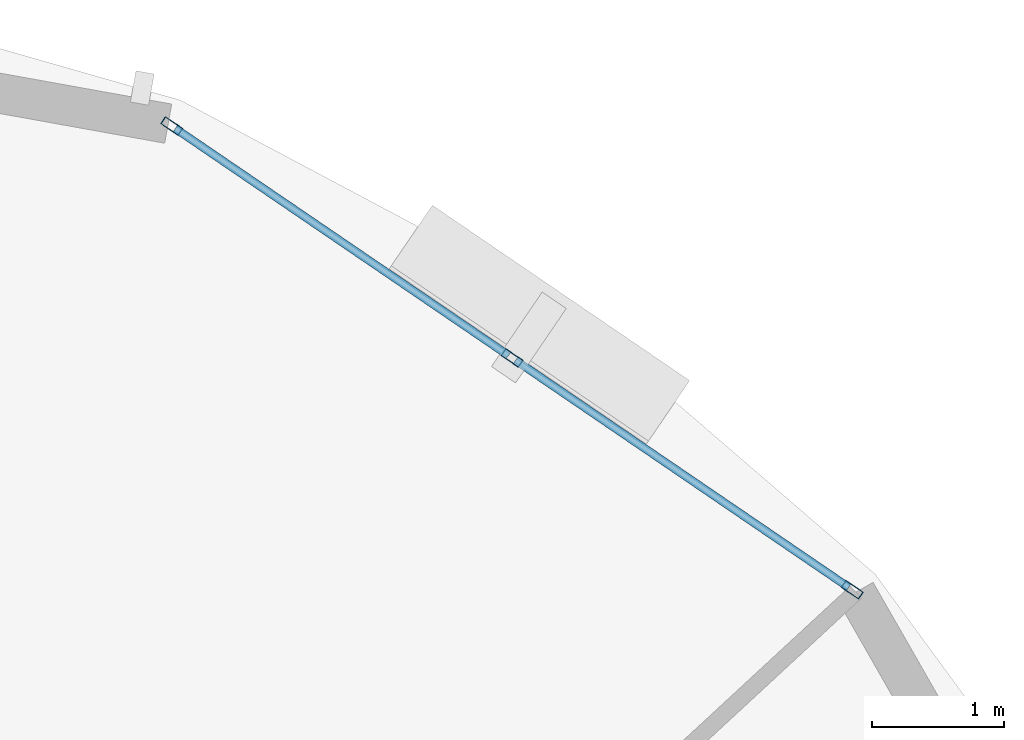
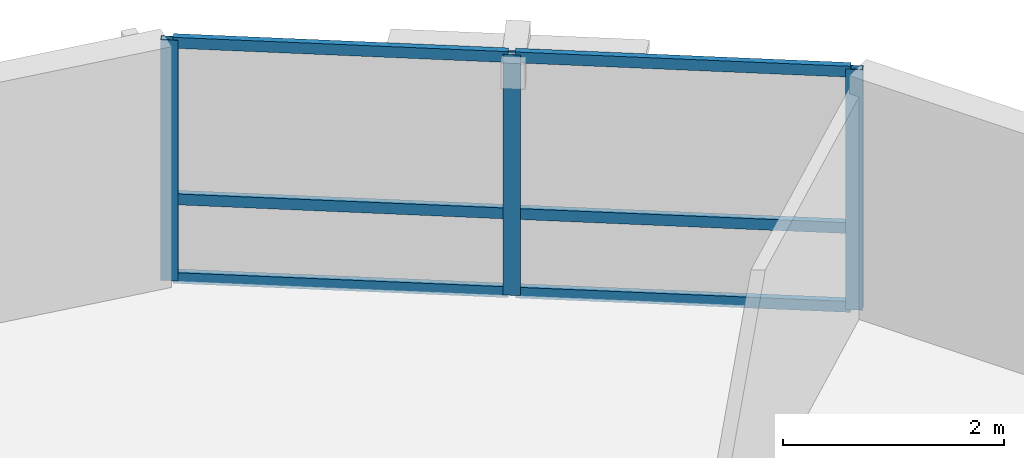
# One storey, part 6 of 12: 9 members, 1 element without a shape of its own.
"""IFC4 building model written with IfcOpenShell, lengths in metres."""

from ifc_helpers import new_model, si_unit, direction, frame, origin, origin_2d, place, context, subcontext, project, spatial, hollow_rectangle, extrude, material, layer, layer_set, material_profile, profile_set, type_object, element, aggregate, save


model = new_model("IFC4")

# Units and contexts
model_context = context("Model", 3, precision=1e-05, world=origin(), true_north=direction((0.0, 1.0)))
body_context = subcontext(model_context, "Body", "Model", "MODEL_VIEW")
ifc_project = project(units=[si_unit("LENGTHUNIT", "METRE"), si_unit("AREAUNIT", "SQUARE_METRE"), si_unit("VOLUMEUNIT", "CUBIC_METRE"), si_unit("PLANEANGLEUNIT", "RADIAN"), si_unit("MASSUNIT", "GRAM", prefix="KILO"), si_unit("THERMODYNAMICTEMPERATUREUNIT", "KELVIN"), si_unit("POWERUNIT", "WATT")], contexts=[model_context])

# Site, building, storey
site_placement = place(None, origin())
site = spatial("IfcSite", under=ifc_project, at=site_placement, CompositionType="ELEMENT")
building_placement = place(site_placement, origin())
building = spatial("IfcBuilding", under=site, at=building_placement, Name="Ocrelia Relay Tower", CompositionType="ELEMENT")
storey_placement = place(building_placement, frame((0.0, 0.0, 209.60009765625)))
storey = spatial("IfcBuildingStorey", under=building, at=storey_placement, Name="L51", CompositionType="ELEMENT", Elevation=209.60009765625)

# Curtain wall, members
ifc_material_1 = material(Name="Aluminium and solar-control low-E glass", Category="aluminium")
ifc_layer = layer(ifc_material_1, 0.179931640625, Name="Aluminium and solar-control low-E glass")
ifc_layer_set = layer_set([ifc_layer], Name="Aluminium and solar-control low-E glass")
curtain_wall_type = type_object("IfcCurtainWallType", Name="CW-SYS-Z3-CLOU", PredefinedType="NOTDEFINED", material=ifc_layer_set)
curtain_wall_placement = place(storey_placement, origin())
curtain_wall = element("IfcCurtainWall", 1, at=curtain_wall_placement, inside=storey, type_object=curtain_wall_type, Name="L51 Elliptical Tower Curtain Wall Bay 01", PredefinedType="NOTDEFINED")
ifc_material_2 = material(Name="Anodised bronze aluminium", Category="aluminium")
ifc_material_profile_1 = material_profile(ifc_material_2, hollow_rectangle(XDim=0.06494140625, YDim=0.159912109375, WallThickness=0.0048828125, at=origin_2d()), Name="CW-MUL-160x65")
ifc_profile_set_1 = profile_set([ifc_material_profile_1], Name="Anodised bronze aluminium")
member_type_1 = type_object("IfcMemberType", Name="CW-SYS-Z3-CLOU-MUL", PredefinedType="MULLION", material=ifc_profile_set_1)
member_1_placement = place(storey_placement, frame((51.15625, 41.902099609375, 0.0), z_axis=(0.0, 0.0, 1.0), x_axis=(-0.563097760098, -0.826390290705, 0.0)))
member_1 = element("IfcMember", 2, at=member_1_placement, type_object=member_type_1, Name="CW-Z3 mullion 1", PredefinedType="MULLION", context=body_context, shape_type="SweptSolid", body=[
    extrude(hollow_rectangle(XDim=0.06494140625, YDim=0.159912109375, WallThickness=0.0048828125, at=origin_2d()), origin(), (0.0, 0.0, 1.0), 2.659912109375),
])
member_2_placement = place(storey_placement, frame((48.587158203125, 43.65283203125, 0.0), z_axis=(0.0, 0.0, 1.0), x_axis=(-0.563097760098, -0.826390290705, 0.0)))
member_2 = element("IfcMember", 3, at=member_2_placement, type_object=member_type_1, Name="CW-Z3 mullion 2", PredefinedType="MULLION", context=body_context, shape_type="SweptSolid", body=[
    extrude(hollow_rectangle(XDim=0.06494140625, YDim=0.159912109375, WallThickness=0.0048828125, at=origin_2d()), origin(), (0.0, 0.0, 1.0), 2.659912109375),
])
member_3_placement = place(storey_placement, frame((46.01806640625, 45.4033203125, 0.0), z_axis=(0.0, 0.0, 1.0), x_axis=(-0.563097760098, -0.826390290705, 0.0)))
member_3 = element("IfcMember", 4, at=member_3_placement, type_object=member_type_1, Name="CW-Z3 mullion 3", PredefinedType="MULLION", context=body_context, shape_type="SweptSolid", body=[
    extrude(hollow_rectangle(XDim=0.06494140625, YDim=0.159912109375, WallThickness=0.0048828125, at=origin_2d()), origin(), (0.0, 0.0, 1.0), 2.659912109375),
])
ifc_material_profile_2 = material_profile(ifc_material_2, hollow_rectangle(XDim=0.06005859375, YDim=0.1201171875, WallThickness=0.0048828125, at=origin_2d()), Name="CW-TRN-120x60")
ifc_profile_set_2 = profile_set([ifc_material_profile_2], Name="Anodised bronze aluminium")
member_type_2 = type_object("IfcMemberType", Name="CW-SYS-Z3-CLOU-TRN", PredefinedType="USERDEFINED", material=ifc_profile_set_2)
member_4_placement = place(storey_placement, frame((51.12939453125, 41.92041015625, 0.02978515625), z_axis=(-0.826368159247, 0.563130238384, 0.0), x_axis=(-0.563130238384, -0.826368159247, 0.0)))
member_4 = element("IfcMember", 5, at=member_4_placement, type_object=member_type_2, Name="CW-Z3 transom 1.1", ObjectType="TRANSOM", PredefinedType="USERDEFINED", context=body_context, shape_type="SweptSolid", body=[
    extrude(hollow_rectangle(XDim=0.06005859375, YDim=0.1201171875, WallThickness=0.0048828125, at=origin_2d()), origin(), (0.0, 0.0, 1.0), 3.0439453125),
])
member_5_placement = place(storey_placement, frame((51.12939453125, 41.92041015625, 0.89990234375), z_axis=(-0.826368159247, 0.563130238384, 0.0), x_axis=(-0.563130238384, -0.826368159247, 0.0)))
member_5 = element("IfcMember", 6, at=member_5_placement, type_object=member_type_2, Name="CW-Z3 transom 1.2", ObjectType="TRANSOM", PredefinedType="USERDEFINED", context=body_context, shape_type="SweptSolid", body=[
    extrude(hollow_rectangle(XDim=0.06005859375, YDim=0.1201171875, WallThickness=0.0048828125, at=origin_2d()), origin(), (0.0, 0.0, 1.0), 3.0439453125),
])
member_6_placement = place(storey_placement, frame((51.12939453125, 41.92041015625, 2.6298828125), z_axis=(-0.826368159247, 0.563130238384, 0.0), x_axis=(-0.563130238384, -0.826368159247, 0.0)))
member_6 = element("IfcMember", 7, at=member_6_placement, type_object=member_type_2, Name="CW-Z3 transom 1.3", ObjectType="TRANSOM", PredefinedType="USERDEFINED", context=body_context, shape_type="SweptSolid", body=[
    extrude(hollow_rectangle(XDim=0.06005859375, YDim=0.1201171875, WallThickness=0.0048828125, at=origin_2d()), origin(), (0.0, 0.0, 1.0), 3.0439453125),
])
member_7_placement = place(storey_placement, frame((48.560302734375, 43.671142578125, 0.02978515625), z_axis=(-0.826405483471, 0.563075462872, 0.0), x_axis=(-0.563075462872, -0.826405483471, 0.0)))
member_7 = element("IfcMember", 8, at=member_7_placement, type_object=member_type_2, Name="CW-Z3 transom 2.1", ObjectType="TRANSOM", PredefinedType="USERDEFINED", context=body_context, shape_type="SweptSolid", body=[
    extrude(hollow_rectangle(XDim=0.06005859375, YDim=0.1201171875, WallThickness=0.0048828125, at=origin_2d()), origin(), (0.0, 0.0, 1.0), 3.043701171875),
])
member_8_placement = place(storey_placement, frame((48.560302734375, 43.671142578125, 0.89990234375), z_axis=(-0.826405483471, 0.563075462872, 0.0), x_axis=(-0.563075462872, -0.826405483471, 0.0)))
member_8 = element("IfcMember", 9, at=member_8_placement, type_object=member_type_2, Name="CW-Z3 transom 2.2", ObjectType="TRANSOM", PredefinedType="USERDEFINED", context=body_context, shape_type="SweptSolid", body=[
    extrude(hollow_rectangle(XDim=0.06005859375, YDim=0.1201171875, WallThickness=0.0048828125, at=origin_2d()), origin(), (0.0, 0.0, 1.0), 3.043701171875),
])
member_9_placement = place(storey_placement, frame((48.560302734375, 43.671142578125, 2.6298828125), z_axis=(-0.826405483471, 0.563075462872, 0.0), x_axis=(-0.563075462872, -0.826405483471, 0.0)))
member_9 = element("IfcMember", 10, at=member_9_placement, type_object=member_type_2, Name="CW-Z3 transom 2.3", ObjectType="TRANSOM", PredefinedType="USERDEFINED", context=body_context, shape_type="SweptSolid", body=[
    extrude(hollow_rectangle(XDim=0.06005859375, YDim=0.1201171875, WallThickness=0.0048828125, at=origin_2d()), origin(), (0.0, 0.0, 1.0), 3.043701171875),
])
aggregate(curtain_wall, [member_1, member_2, member_3, member_4, member_5, member_6, member_7, member_8, member_9])

save(model, "model.ifc")
